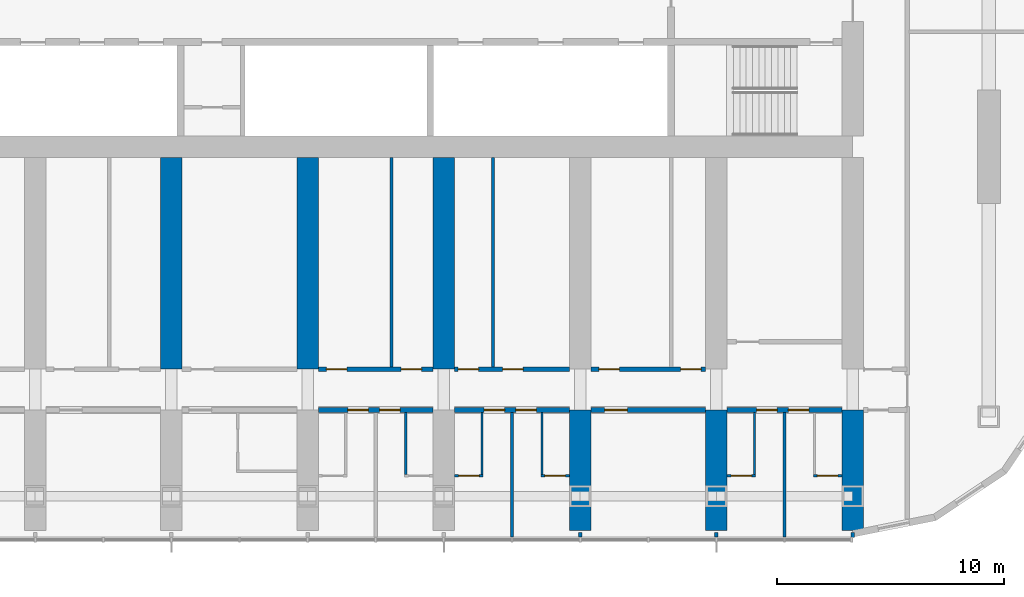
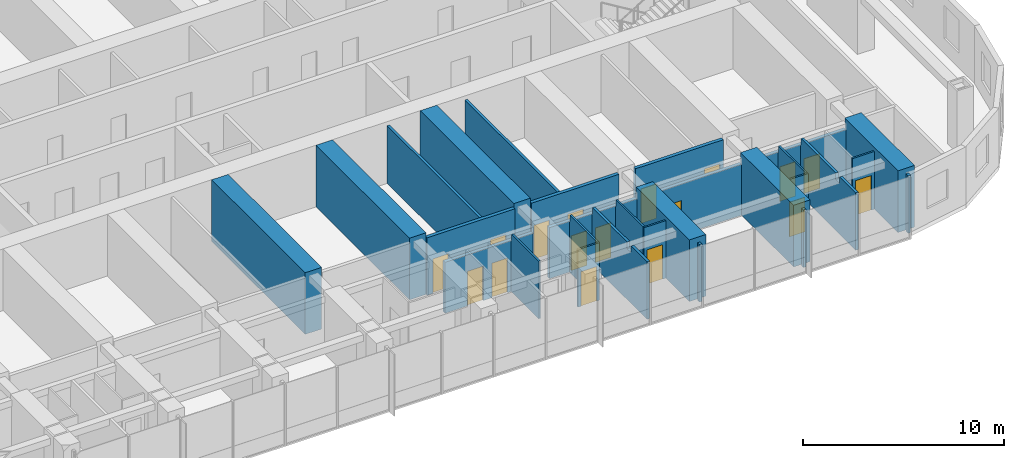
# One storey, part 10 of 21: 28 walls, 17 doors, 17 openings.
"""IFC4 building model written with IfcOpenShell, lengths in metres."""

from ifc_helpers import new_model, si_unit, direction, frame, frame_2d, origin, place, context, subcontext, project, spatial, polyline, rectangle, outline, extrude, material, layer, layer_set, type_object, element, fill, save


model = new_model("IFC4")

# Units and contexts
model_context = context("Model", 3, precision=1e-05, world=origin(), true_north=direction((0.0, 1.0)))
body_context = subcontext(model_context, "Body", "Model", "MODEL_VIEW")
ifc_project = project(units=[si_unit("LENGTHUNIT", "METRE"), si_unit("AREAUNIT", "SQUARE_METRE"), si_unit("VOLUMEUNIT", "CUBIC_METRE"), si_unit("PLANEANGLEUNIT", "RADIAN"), si_unit("MASSUNIT", "GRAM", prefix="KILO")], contexts=[model_context])

# Site, building, storey
site_placement = place(None, origin())
site = spatial("IfcSite", under=ifc_project, at=site_placement, CompositionType="ELEMENT")
building_placement = place(site_placement, origin())
building = spatial("IfcBuilding", under=site, at=building_placement, Name="Orbita Commons", CompositionType="ELEMENT")
storey_placement = place(building_placement, frame((0.0, 0.0, 106.89990234375)))
storey = spatial("IfcBuildingStorey", under=building, at=storey_placement, Name="L26", CompositionType="ELEMENT", Elevation=106.89990234375)

# Wall, openings, doors
ifc_material_1 = material(Name="Concrete blockwork", Category="masonry")
ifc_layer_1 = layer(ifc_material_1, 0.199951171875)
ifc_layer_set_1 = layer_set([ifc_layer_1], Name="Concrete blockwork")
wall_type_1 = type_object("IfcWallType", Name="Corridor wall 200 blockwork", PredefinedType="SOLIDWALL", material=ifc_layer_set_1)
wall_1_placement = place(storey_placement, frame((42.47509765625, 14.199951171875, 0.0), z_axis=(0.0, 0.0, 1.0), x_axis=(1.0, 0.0, 0.0)))
wall_1 = element("IfcWall", 1, at=wall_1_placement, inside=storey, type_object=wall_type_1, Name="Corridor wall 200 blockwork L26", PredefinedType="SOLIDWALL", context=body_context, shape_type="SweptSolid", body=[
    extrude(outline(polyline([(0.0, 0.0), (5.0498046875, 0.0), (5.050048828125, 3.10009765625), (0.0, 3.10009765625), (0.0, 0.0)])), frame((0.0, 0.10009765625, 0.0), z_axis=(0.0, -1.0, 0.0), x_axis=(1.0, 0.0, 0.0)), (0.0, 0.0, 1.0), 0.199951171875),
])
opening_1_placement = place(wall_1_placement, frame((1.300048828125, 0.0, 0.0)))
opening_1 = element("IfcOpeningElement", 2, at=opening_1_placement, cuts=wall_1, Name="Opening D11", PredefinedType="OPENING", context=body_context, shape_type="SweptSolid", body=[
    extrude(rectangle(XDim=0.89990234375, YDim=2.10009765625, at=frame_2d((0.449951171875, 1.050048828125))), frame((0.0, 0.10986328125, 0.0), z_axis=(0.0, -1.0, 0.0), x_axis=(1.0, 0.0, 0.0)), (0.0, 0.0, 1.0), 0.219970703125),
])
opening_2_placement = place(wall_1_placement, frame((2.699951171875, 0.0, 0.0)))
opening_2 = element("IfcOpeningElement", 3, at=opening_2_placement, cuts=wall_1, Name="Opening D11", PredefinedType="OPENING", context=body_context, shape_type="SweptSolid", body=[
    extrude(rectangle(XDim=0.89990234375, YDim=2.10009765625, at=frame_2d((0.449951171875, 1.050048828125))), frame((0.0, 0.10986328125, 0.0), z_axis=(0.0, -1.0, 0.0), x_axis=(1.0, 0.0, 0.0)), (0.0, 0.0, 1.0), 0.219970703125),
])
ifc_material_2 = material(Name="Steel-faced fire door leaf", Category="steel")
door_type_1 = type_object("IfcDoorType", Name="Corridor door 20 min 900x2100", OperationType="SINGLE_SWING_LEFT", PredefinedType="DOOR", material=ifc_material_2)
door_1_placement = place(opening_1_placement, origin())
door_1 = element("IfcDoor", 4, at=door_1_placement, inside=storey, type_object=door_type_1, Name="Cluster bedroom L26-S10 door", OperationType="SINGLE_SWING_LEFT", OverallHeight=2.10009765625, OverallWidth=0.89990234375, PredefinedType="DOOR", context=body_context, shape_type="SweptSolid", body=[
    extrude(rectangle(XDim=0.89990234375, YDim=2.10009765625, at=frame_2d((0.449951171875, 1.050048828125))), frame((0.0, 0.02490234375, 0.0), z_axis=(0.0, -1.0, 0.0), x_axis=(1.0, 0.0, 0.0)), (0.0, 0.0, 1.0), 0.050048828125),
])
fill(opening_1, door_1)
door_2_placement = place(opening_2_placement, origin())
door_2 = element("IfcDoor", 5, at=door_2_placement, inside=storey, type_object=door_type_1, Name="Cluster bedroom L26-S11 door", OperationType="SINGLE_SWING_LEFT", OverallHeight=2.10009765625, OverallWidth=0.89990234375, PredefinedType="DOOR", context=body_context, shape_type="SweptSolid", body=[
    extrude(rectangle(XDim=0.89990234375, YDim=2.10009765625, at=frame_2d((0.449951171875, 1.050048828125))), frame((0.0, 0.02490234375, 0.0), z_axis=(0.0, -1.0, 0.0), x_axis=(1.0, 0.0, 0.0)), (0.0, 0.0, 1.0), 0.050048828125),
])
fill(opening_2, door_2)

wall_2_placement = place(storey_placement, frame((48.47509765625, 14.199951171875, 0.0), z_axis=(0.0, 0.0, 1.0), x_axis=(1.0, 0.0, 0.0)))
wall_2 = element("IfcWall", 6, at=wall_2_placement, inside=storey, type_object=wall_type_1, Name="Corridor wall 200 blockwork L26", PredefinedType="SOLIDWALL", context=body_context, shape_type="SweptSolid", body=[
    extrude(outline(polyline([(0.0, 0.0), (5.0498046875, 0.0), (5.050048828125, 3.10009765625), (0.0, 3.10009765625), (0.0, 0.0)])), frame((0.0, 0.10009765625, 0.0), z_axis=(0.0, -1.0, 0.0), x_axis=(1.0, 0.0, 0.0)), (0.0, 0.0, 1.0), 0.199951171875),
])
opening_3_placement = place(wall_2_placement, frame((1.300048828125, 0.0, 0.0)))
opening_3 = element("IfcOpeningElement", 7, at=opening_3_placement, cuts=wall_2, Name="Opening D11", PredefinedType="OPENING", context=body_context, shape_type="SweptSolid", body=[
    extrude(rectangle(XDim=0.89990234375, YDim=2.10009765625, at=frame_2d((0.449951171875, 1.050048828125))), frame((0.0, 0.10986328125, 0.0), z_axis=(0.0, -1.0, 0.0), x_axis=(1.0, 0.0, 0.0)), (0.0, 0.0, 1.0), 0.219970703125),
])
opening_4_placement = place(wall_2_placement, frame((2.699951171875, 0.0, 0.0)))
opening_4 = element("IfcOpeningElement", 8, at=opening_4_placement, cuts=wall_2, Name="Opening D11", PredefinedType="OPENING", context=body_context, shape_type="SweptSolid", body=[
    extrude(rectangle(XDim=0.89990234375, YDim=2.10009765625, at=frame_2d((0.449951171875, 1.050048828125))), frame((0.0, 0.10986328125, 0.0), z_axis=(0.0, -1.0, 0.0), x_axis=(1.0, 0.0, 0.0)), (0.0, 0.0, 1.0), 0.219970703125),
])
door_3_placement = place(opening_3_placement, origin())
door_3 = element("IfcDoor", 9, at=door_3_placement, inside=storey, type_object=door_type_1, Name="Cluster bedroom L26-S12 door", OperationType="SINGLE_SWING_LEFT", OverallHeight=2.10009765625, OverallWidth=0.89990234375, PredefinedType="DOOR", context=body_context, shape_type="SweptSolid", body=[
    extrude(rectangle(XDim=0.89990234375, YDim=2.10009765625, at=frame_2d((0.449951171875, 1.050048828125))), frame((0.0, 0.02490234375, 0.0), z_axis=(0.0, -1.0, 0.0), x_axis=(1.0, 0.0, 0.0)), (0.0, 0.0, 1.0), 0.050048828125),
])
fill(opening_3, door_3)
door_4_placement = place(opening_4_placement, origin())
door_4 = element("IfcDoor", 10, at=door_4_placement, inside=storey, type_object=door_type_1, Name="Cluster bedroom L26-S13 door", OperationType="SINGLE_SWING_LEFT", OverallHeight=2.10009765625, OverallWidth=0.89990234375, PredefinedType="DOOR", context=body_context, shape_type="SweptSolid", body=[
    extrude(rectangle(XDim=0.89990234375, YDim=2.10009765625, at=frame_2d((0.449951171875, 1.050048828125))), frame((0.0, 0.02490234375, 0.0), z_axis=(0.0, -1.0, 0.0), x_axis=(1.0, 0.0, 0.0)), (0.0, 0.0, 1.0), 0.050048828125),
])
fill(opening_4, door_4)

# Wall, opening, door
wall_3_placement = place(storey_placement, frame((54.47509765625, 14.199951171875, 0.0), z_axis=(0.0, 0.0, 1.0), x_axis=(1.0, 0.0, 0.0)))
wall_3 = element("IfcWall", 11, at=wall_3_placement, inside=storey, type_object=wall_type_1, Name="Corridor wall 200 blockwork L26", PredefinedType="SOLIDWALL", context=body_context, shape_type="SweptSolid", body=[
    extrude(outline(polyline([(0.0, 0.0), (5.0498046875, 0.0), (5.050048828125, 3.10009765625), (0.0, 3.10009765625), (0.0, 0.0)])), frame((0.0, 0.10009765625, 0.0), z_axis=(0.0, -1.0, 0.0), x_axis=(1.0, 0.0, 0.0)), (0.0, 0.0, 1.0), 0.199951171875),
])
opening_5_placement = place(wall_3_placement, frame((0.60009765625, 0.0, 0.0)))
opening_5 = element("IfcOpeningElement", 12, at=opening_5_placement, cuts=wall_3, Name="Opening D06", PredefinedType="OPENING", context=body_context, shape_type="SweptSolid", body=[
    extrude(rectangle(XDim=1.0, YDim=2.10009765625, at=frame_2d((0.5, 1.050048828125))), frame((0.0, 0.10986328125, 0.0), z_axis=(0.0, -1.0, 0.0), x_axis=(1.0, 0.0, 0.0)), (0.0, 0.0, 1.0), 0.219970703125),
])
ifc_material_3 = material(Name="Steel-faced fire door leaf", Category="steel")
door_type_2 = type_object("IfcDoorType", Name="Corridor door 20 min 1000x2100", OperationType="SINGLE_SWING_LEFT", PredefinedType="DOOR", material=ifc_material_3)
door_5_placement = place(opening_5_placement, origin())
door_5 = element("IfcDoor", 13, at=door_5_placement, inside=storey, type_object=door_type_2, Name="Cluster kitchen-diner L26-S14 door", OperationType="SINGLE_SWING_LEFT", OverallHeight=2.10009765625, OverallWidth=1.0, PredefinedType="DOOR", context=body_context, shape_type="SweptSolid", body=[
    extrude(rectangle(XDim=1.0, YDim=2.10009765625, at=frame_2d((0.5, 1.050048828125))), frame((0.0, 0.02490234375, 0.0), z_axis=(0.0, -1.0, 0.0), x_axis=(1.0, 0.0, 0.0)), (0.0, 0.0, 1.0), 0.050048828125),
])
fill(opening_5, door_5)

# Wall, openings, doors
wall_4_placement = place(storey_placement, frame((60.47509765625, 14.199951171875, 0.0), z_axis=(0.0, 0.0, 1.0), x_axis=(1.0, 0.0, 0.0)))
wall_4 = element("IfcWall", 14, at=wall_4_placement, inside=storey, type_object=wall_type_1, Name="Corridor wall 200 blockwork L26", PredefinedType="SOLIDWALL", context=body_context, shape_type="SweptSolid", body=[
    extrude(outline(polyline([(0.0, 0.0), (5.0498046875, 0.0), (5.050048828125, 3.10009765625), (0.0, 3.10009765625), (0.0, 0.0)])), frame((0.0, 0.10009765625, 0.0), z_axis=(0.0, -1.0, 0.0), x_axis=(1.0, 0.0, 0.0)), (0.0, 0.0, 1.0), 0.199951171875),
])
opening_6_placement = place(wall_4_placement, frame((1.300048828125, 0.0, 0.0)))
opening_6 = element("IfcOpeningElement", 15, at=opening_6_placement, cuts=wall_4, Name="Opening D11", PredefinedType="OPENING", context=body_context, shape_type="SweptSolid", body=[
    extrude(rectangle(XDim=0.89990234375, YDim=2.10009765625, at=frame_2d((0.449951171875, 1.050048828125))), frame((0.0, 0.10986328125, 0.0), z_axis=(0.0, -1.0, 0.0), x_axis=(1.0, 0.0, 0.0)), (0.0, 0.0, 1.0), 0.219970703125),
])
opening_7_placement = place(wall_4_placement, frame((2.699951171875, 0.0, 0.0)))
opening_7 = element("IfcOpeningElement", 16, at=opening_7_placement, cuts=wall_4, Name="Opening D11", PredefinedType="OPENING", context=body_context, shape_type="SweptSolid", body=[
    extrude(rectangle(XDim=0.89990234375, YDim=2.10009765625, at=frame_2d((0.449951171875, 1.050048828125))), frame((0.0, 0.10986328125, 0.0), z_axis=(0.0, -1.0, 0.0), x_axis=(1.0, 0.0, 0.0)), (0.0, 0.0, 1.0), 0.219970703125),
])
door_6_placement = place(opening_6_placement, origin())
door_6 = element("IfcDoor", 17, at=door_6_placement, inside=storey, type_object=door_type_1, Name="Cluster bedroom L26-S16 door", OperationType="SINGLE_SWING_LEFT", OverallHeight=2.10009765625, OverallWidth=0.89990234375, PredefinedType="DOOR", context=body_context, shape_type="SweptSolid", body=[
    extrude(rectangle(XDim=0.89990234375, YDim=2.10009765625, at=frame_2d((0.449951171875, 1.050048828125))), frame((0.0, 0.02490234375, 0.0), z_axis=(0.0, -1.0, 0.0), x_axis=(1.0, 0.0, 0.0)), (0.0, 0.0, 1.0), 0.050048828125),
])
fill(opening_6, door_6)
door_7_placement = place(opening_7_placement, origin())
door_7 = element("IfcDoor", 18, at=door_7_placement, inside=storey, type_object=door_type_1, Name="Cluster bedroom L26-S17 door", OperationType="SINGLE_SWING_LEFT", OverallHeight=2.10009765625, OverallWidth=0.89990234375, PredefinedType="DOOR", context=body_context, shape_type="SweptSolid", body=[
    extrude(rectangle(XDim=0.89990234375, YDim=2.10009765625, at=frame_2d((0.449951171875, 1.050048828125))), frame((0.0, 0.02490234375, 0.0), z_axis=(0.0, -1.0, 0.0), x_axis=(1.0, 0.0, 0.0)), (0.0, 0.0, 1.0), 0.050048828125),
])
fill(opening_7, door_7)

ifc_material_4 = material(Name="Hollow concrete block 200", Category="concrete")
ifc_layer_2 = layer(ifc_material_4, 0.199951171875)
ifc_layer_set_2 = layer_set([ifc_layer_2], Name="Hollow concrete block 200")
wall_type_2 = type_object("IfcWallType", Name="Corridor wall 200 hollow concrete block", PredefinedType="SOLIDWALL", material=ifc_layer_set_2)
wall_5_placement = place(storey_placement, frame((42.47509765625, 16.0, 0.0), z_axis=(0.0, 0.0, 1.0), x_axis=(1.0, 0.0, 0.0)))
wall_5 = element("IfcWall", 19, at=wall_5_placement, inside=storey, type_object=wall_type_2, Name="Corridor wall 200 hollow concrete block L26", PredefinedType="SOLIDWALL", context=body_context, shape_type="SweptSolid", body=[
    extrude(rectangle(XDim=5.0498046875, YDim=0.199951171875, at=frame_2d((2.52490234375, 0.0))), origin(), (0.0, 0.0, 1.0), 3.5),
])
opening_8_placement = place(wall_5_placement, frame((0.35009765625, 0.0, 0.0)))
opening_8 = element("IfcOpeningElement", 20, at=opening_8_placement, cuts=wall_5, Name="Opening D11", PredefinedType="OPENING", context=body_context, shape_type="SweptSolid", body=[
    extrude(rectangle(XDim=0.89990234375, YDim=2.10009765625, at=frame_2d((0.449951171875, 1.050048828125))), frame((0.0, 0.10986328125, 0.0), z_axis=(0.0, -1.0, 0.0), x_axis=(1.0, 0.0, 0.0)), (0.0, 0.0, 1.0), 0.219970703125),
])
opening_9_placement = place(wall_5_placement, frame((3.64501953125, 0.0, 0.0)))
opening_9 = element("IfcOpeningElement", 21, at=opening_9_placement, cuts=wall_5, Name="Opening D11", PredefinedType="OPENING", context=body_context, shape_type="SweptSolid", body=[
    extrude(rectangle(XDim=0.89990234375, YDim=2.10009765625, at=frame_2d((0.449951171875, 1.050048828125))), frame((0.0, 0.10986328125, 0.0), z_axis=(0.0, -1.0, 0.0), x_axis=(1.0, 0.0, 0.0)), (0.0, 0.0, 1.0), 0.219970703125),
])
door_8_placement = place(opening_8_placement, origin())
door_8 = element("IfcDoor", 22, at=door_8_placement, inside=storey, type_object=door_type_1, Name="Bicycle repair workshop L26-BDS42 door", OperationType="SINGLE_SWING_LEFT", OverallHeight=2.10009765625, OverallWidth=0.89990234375, PredefinedType="DOOR", context=body_context, shape_type="SweptSolid", body=[
    extrude(rectangle(XDim=0.89990234375, YDim=2.10009765625, at=frame_2d((0.449951171875, 1.050048828125))), frame((0.0, 0.02490234375, 0.0), z_axis=(0.0, -1.0, 0.0), x_axis=(1.0, 0.0, 0.0)), (0.0, 0.0, 1.0), 0.050048828125),
])
fill(opening_8, door_8)
door_9_placement = place(opening_9_placement, origin())
door_9 = element("IfcDoor", 23, at=door_9_placement, inside=storey, type_object=door_type_1, Name="Water heater cupboard L26-BDS42n door", OperationType="SINGLE_SWING_LEFT", OverallHeight=2.10009765625, OverallWidth=0.89990234375, PredefinedType="DOOR", context=body_context, shape_type="SweptSolid", body=[
    extrude(rectangle(XDim=0.89990234375, YDim=2.10009765625, at=frame_2d((0.449951171875, 1.050048828125))), frame((0.0, 0.02490234375, 0.0), z_axis=(0.0, -1.0, 0.0), x_axis=(1.0, 0.0, 0.0)), (0.0, 0.0, 1.0), 0.050048828125),
])
fill(opening_9, door_9)

wall_6_placement = place(storey_placement, frame((48.47509765625, 16.0, 0.0), z_axis=(0.0, 0.0, 1.0), x_axis=(1.0, 0.0, 0.0)))
wall_6 = element("IfcWall", 24, at=wall_6_placement, inside=storey, type_object=wall_type_2, Name="Corridor wall 200 hollow concrete block L26", PredefinedType="SOLIDWALL", context=body_context, shape_type="SweptSolid", body=[
    extrude(rectangle(XDim=5.0498046875, YDim=0.199951171875, at=frame_2d((2.52490234375, 0.0))), origin(), (0.0, 0.0, 1.0), 3.5),
])
opening_10_placement = place(wall_6_placement, frame((0.14990234375, 0.0, 0.0)))
opening_10 = element("IfcOpeningElement", 25, at=opening_10_placement, cuts=wall_6, Name="Opening D11", PredefinedType="OPENING", context=body_context, shape_type="SweptSolid", body=[
    extrude(rectangle(XDim=0.89990234375, YDim=2.10009765625, at=frame_2d((0.449951171875, 1.050048828125))), frame((0.0, 0.10986328125, 0.0), z_axis=(0.0, -1.0, 0.0), x_axis=(1.0, 0.0, 0.0)), (0.0, 0.0, 1.0), 0.219970703125),
])
opening_11_placement = place(wall_6_placement, frame((2.114990234375, 0.0, 0.0)))
opening_11 = element("IfcOpeningElement", 26, at=opening_11_placement, cuts=wall_6, Name="Opening D11", PredefinedType="OPENING", context=body_context, shape_type="SweptSolid", body=[
    extrude(rectangle(XDim=0.89990234375, YDim=2.10009765625, at=frame_2d((0.449951171875, 1.050048828125))), frame((0.0, 0.10986328125, 0.0), z_axis=(0.0, -1.0, 0.0), x_axis=(1.0, 0.0, 0.0)), (0.0, 0.0, 1.0), 0.219970703125),
])
door_10_placement = place(opening_10_placement, origin())
door_10 = element("IfcDoor", 27, at=door_10_placement, inside=storey, type_object=door_type_1, Name="Equipment store L26-BDS48n door", OperationType="SINGLE_SWING_LEFT", OverallHeight=2.10009765625, OverallWidth=0.89990234375, PredefinedType="DOOR", context=body_context, shape_type="SweptSolid", body=[
    extrude(rectangle(XDim=0.89990234375, YDim=2.10009765625, at=frame_2d((0.449951171875, 1.050048828125))), frame((0.0, 0.02490234375, 0.0), z_axis=(0.0, -1.0, 0.0), x_axis=(1.0, 0.0, 0.0)), (0.0, 0.0, 1.0), 0.050048828125),
])
fill(opening_10, door_10)
door_11_placement = place(opening_11_placement, origin())
door_11 = element("IfcDoor", 28, at=door_11_placement, inside=storey, type_object=door_type_1, Name="Meeting room L26-BDS48 door", OperationType="SINGLE_SWING_LEFT", OverallHeight=2.10009765625, OverallWidth=0.89990234375, PredefinedType="DOOR", context=body_context, shape_type="SweptSolid", body=[
    extrude(rectangle(XDim=0.89990234375, YDim=2.10009765625, at=frame_2d((0.449951171875, 1.050048828125))), frame((0.0, 0.02490234375, 0.0), z_axis=(0.0, -1.0, 0.0), x_axis=(1.0, 0.0, 0.0)), (0.0, 0.0, 1.0), 0.050048828125),
])
fill(opening_11, door_11)

wall_7_placement = place(storey_placement, frame((54.47509765625, 16.0, 0.0), z_axis=(0.0, 0.0, 1.0), x_axis=(1.0, 0.0, 0.0)))
wall_7 = element("IfcWall", 29, at=wall_7_placement, inside=storey, type_object=wall_type_2, Name="Corridor wall 200 hollow concrete block L26", PredefinedType="SOLIDWALL", context=body_context, shape_type="SweptSolid", body=[
    extrude(rectangle(XDim=5.0498046875, YDim=0.199951171875, at=frame_2d((2.52490234375, 0.0))), origin(), (0.0, 0.0, 1.0), 3.5),
])
opening_12_placement = place(wall_7_placement, frame((0.35009765625, 0.0, 0.0)))
opening_12 = element("IfcOpeningElement", 30, at=opening_12_placement, cuts=wall_7, Name="Opening D11", PredefinedType="OPENING", context=body_context, shape_type="SweptSolid", body=[
    extrude(rectangle(XDim=0.89990234375, YDim=2.10009765625, at=frame_2d((0.449951171875, 1.050048828125))), frame((0.0, 0.10986328125, 0.0), z_axis=(0.0, -1.0, 0.0), x_axis=(1.0, 0.0, 0.0)), (0.0, 0.0, 1.0), 0.219970703125),
])
opening_13_placement = place(wall_7_placement, frame((3.955078125, 0.0, 0.0)))
opening_13 = element("IfcOpeningElement", 31, at=opening_13_placement, cuts=wall_7, Name="Opening D11", PredefinedType="OPENING", context=body_context, shape_type="SweptSolid", body=[
    extrude(rectangle(XDim=0.89990234375, YDim=2.10009765625, at=frame_2d((0.449951171875, 1.050048828125))), frame((0.0, 0.10986328125, 0.0), z_axis=(0.0, -1.0, 0.0), x_axis=(1.0, 0.0, 0.0)), (0.0, 0.0, 1.0), 0.219970703125),
])
door_12_placement = place(opening_12_placement, origin())
door_12 = element("IfcDoor", 32, at=door_12_placement, inside=storey, type_object=door_type_1, Name="Bulk and luggage store L26-BDS54 door", OperationType="SINGLE_SWING_LEFT", OverallHeight=2.10009765625, OverallWidth=0.89990234375, PredefinedType="DOOR", context=body_context, shape_type="SweptSolid", body=[
    extrude(rectangle(XDim=0.89990234375, YDim=2.10009765625, at=frame_2d((0.449951171875, 1.050048828125))), frame((0.0, 0.02490234375, 0.0), z_axis=(0.0, -1.0, 0.0), x_axis=(1.0, 0.0, 0.0)), (0.0, 0.0, 1.0), 0.050048828125),
])
fill(opening_12, door_12)
door_13_placement = place(opening_13_placement, origin())
door_13 = element("IfcDoor", 33, at=door_13_placement, inside=storey, type_object=door_type_1, Name="Battery and UPS room L26-BDS54n door", OperationType="SINGLE_SWING_LEFT", OverallHeight=2.10009765625, OverallWidth=0.89990234375, PredefinedType="DOOR", context=body_context, shape_type="SweptSolid", body=[
    extrude(rectangle(XDim=0.89990234375, YDim=2.10009765625, at=frame_2d((0.449951171875, 1.050048828125))), frame((0.0, 0.02490234375, 0.0), z_axis=(0.0, -1.0, 0.0), x_axis=(1.0, 0.0, 0.0)), (0.0, 0.0, 1.0), 0.050048828125),
])
fill(opening_13, door_13)

# Walls
ifc_material_5 = material(Name="Concrete C50/60", Category="concrete")
ifc_layer_3 = layer(ifc_material_5, 0.949951171875)
ifc_layer_set_3 = layer_set([ifc_layer_3], Name="Concrete C50/60")
wall_type_3 = type_object("IfcWallType", Name="Cross wall 950 C50/60", PredefinedType="SHEAR", material=ifc_layer_set_3)
for number, where, z_axis, x_axis, name in (
    (34, (36.0, 16.0, 0.0), (0.0, 0.0, 1.0), (0.0, 1.0, 0.0), "Cross wall 7 south inner L26"),
    (35, (42.0, 16.0, 0.0), (0.0, 0.0, 1.0), (0.0, 1.0, 0.0), "Cross wall 8 south inner L26"),
    (36, (48.0, 16.0, 0.0), (0.0, 0.0, 1.0), (0.0, 1.0, 0.0), "Cross wall 9 south inner L26"),
):
    element("IfcWall", number, at=place(storey_placement, frame(where, z_axis=z_axis, x_axis=x_axis)), inside=storey, type_object=wall_type_3, Name=name, PredefinedType="SHEAR", context=body_context, shape_type="SweptSolid", body=[
        extrude(rectangle(XDim=9.324951171875, YDim=0.949951171875, at=frame_2d((4.66259765625, 0.0))), origin(), (0.0, 0.0, 1.0), 3.75),
    ])
for number, where, z_axis, x_axis, name in (
    (37, (54.0, 8.89990234375, 0.0), (0.0, 0.0, 1.0), (0.0, 1.0, 0.0), "Cross wall 10 south outer L26"),
    (38, (60.0, 8.89990234375, 0.0), (0.0, 0.0, 1.0), (0.0, 1.0, 0.0), "Cross wall 11 south outer L26"),
    (39, (66.0, 8.89990234375, 0.0), (0.0, 0.0, 1.0), (0.0, 1.0, 0.0), "Cross wall 12 south outer L26"),
):
    element("IfcWall", number, at=place(storey_placement, frame(where, z_axis=z_axis, x_axis=x_axis)), inside=storey, type_object=wall_type_3, Name=name, PredefinedType="SHEAR", context=body_context, shape_type="SweptSolid", body=[
        extrude(rectangle(XDim=5.300048828125, YDim=0.949951171875, at=frame_2d((2.64990234375, 0.0))), origin(), (0.0, 0.0, 1.0), 3.75),
    ])
ifc_material_6 = material(Name="Moisture-resistant plasterboard on steel studs", Category="steel")
ifc_layer_4 = layer(ifc_material_6, 0.10009765625)
ifc_layer_set_4 = layer_set([ifc_layer_4], Name="Moisture-resistant plasterboard on steel studs")
wall_type_4 = type_object("IfcWallType", Name="En-suite partition 100", PredefinedType="PARTITIONING", material=ifc_layer_set_4)
wall_8_placement = place(storey_placement, frame((46.324951171875, 11.35009765625, 0.0), z_axis=(0.0, 0.0, 1.0), x_axis=(0.0, 1.0, 0.0)))
element("IfcWall", 40, at=wall_8_placement, inside=storey, type_object=wall_type_4, Name="En-suite partition 100 L26", PredefinedType="PARTITIONING", context=body_context, shape_type="SweptSolid", body=[
    extrude(outline(polyline([(0.0, 0.0), (2.75, 0.0), (2.75, 3.10009765625), (2.701904296875, 3.10009765625), (2.699951171875, 3.5), (0.0, 3.5), (0.0, 0.0)])), frame((0.0, 0.050048828125, 0.0), z_axis=(0.0, -1.0, 0.0), x_axis=(1.0, 0.0, 0.0)), (0.0, 0.0, 1.0), 0.10009765625),
])

# Wall, opening, door
wall_9_placement = place(storey_placement, frame((49.72509765625, 11.300048828125, 0.0), z_axis=(0.0, 0.0, 1.0), x_axis=(-1.0, 0.0, 0.0)))
wall_9 = element("IfcWall", 41, at=wall_9_placement, inside=storey, type_object=wall_type_4, Name="En-suite partition 100 L26", PredefinedType="PARTITIONING", context=body_context, shape_type="SweptSolid", body=[
    extrude(rectangle(XDim=1.25, YDim=0.10009765625, at=frame_2d((0.625, 0.0))), origin(), (0.0, 0.0, 1.0), 3.5),
])
opening_14_placement = place(wall_9_placement, frame((0.175048828125, 0.0, 0.0)))
opening_14 = element("IfcOpeningElement", 42, at=opening_14_placement, cuts=wall_9, Name="Opening D09", PredefinedType="OPENING", context=body_context, shape_type="SweptSolid", body=[
    extrude(rectangle(XDim=0.89990234375, YDim=2.10009765625, at=frame_2d((0.449951171875, 1.050048828125))), frame((0.0, 0.06005859375, 0.0), z_axis=(0.0, -1.0, 0.0), x_axis=(1.0, 0.0, 0.0)), (0.0, 0.0, 1.0), 0.1201171875),
])
ifc_material_7 = material(Name="Laminated timber door leaf", Category="wood")
door_type_3 = type_object("IfcDoorType", Name="En-suite door 900x2100", OperationType="SINGLE_SWING_RIGHT", PredefinedType="DOOR", material=ifc_material_7)
door_14_placement = place(opening_14_placement, origin())
door_14 = element("IfcDoor", 43, at=door_14_placement, inside=storey, type_object=door_type_3, Name="En-suite L26-S12 door", OperationType="SINGLE_SWING_RIGHT", OverallHeight=2.10009765625, OverallWidth=0.89990234375, PredefinedType="DOOR", context=body_context, shape_type="SweptSolid", body=[
    extrude(rectangle(XDim=0.89990234375, YDim=2.10009765625, at=frame_2d((0.449951171875, 1.050048828125))), frame((0.0, 0.02490234375, 0.0), z_axis=(0.0, -1.0, 0.0), x_axis=(1.0, 0.0, 0.0)), (0.0, 0.0, 1.0), 0.050048828125),
])
fill(opening_14, door_14)

# Wall
wall_10_placement = place(storey_placement, frame((49.675048828125, 11.35009765625, 0.0), z_axis=(0.0, 0.0, 1.0), x_axis=(0.0, 1.0, 0.0)))
element("IfcWall", 44, at=wall_10_placement, inside=storey, type_object=wall_type_4, Name="En-suite partition 100 L26", PredefinedType="PARTITIONING", context=body_context, shape_type="SweptSolid", body=[
    extrude(outline(polyline([(0.0, 0.0), (2.75, 0.0), (2.75, 3.10009765625), (2.701904296875, 3.10009765625), (2.699951171875, 3.5), (0.0, 3.5), (0.0, 0.0)])), frame((0.0, 0.050048828125, 0.0), z_axis=(0.0, -1.0, 0.0), x_axis=(1.0, 0.0, 0.0)), (0.0, 0.0, 1.0), 0.10009765625),
])

# Wall, opening, door
wall_11_placement = place(storey_placement, frame((53.52490234375, 11.300048828125, 0.0), z_axis=(0.0, 0.0, 1.0), x_axis=(-1.0, 0.0, 0.0)))
wall_11 = element("IfcWall", 45, at=wall_11_placement, inside=storey, type_object=wall_type_4, Name="En-suite partition 100 L26", PredefinedType="PARTITIONING", context=body_context, shape_type="SweptSolid", body=[
    extrude(rectangle(XDim=1.25, YDim=0.10009765625, at=frame_2d((0.625, 0.0))), origin(), (0.0, 0.0, 1.0), 3.5),
])
opening_15_placement = place(wall_11_placement, frame((0.175048828125, 0.0, 0.0)))
opening_15 = element("IfcOpeningElement", 46, at=opening_15_placement, cuts=wall_11, Name="Opening D09", PredefinedType="OPENING", context=body_context, shape_type="SweptSolid", body=[
    extrude(rectangle(XDim=0.89990234375, YDim=2.10009765625, at=frame_2d((0.449951171875, 1.050048828125))), frame((0.0, 0.06005859375, 0.0), z_axis=(0.0, -1.0, 0.0), x_axis=(1.0, 0.0, 0.0)), (0.0, 0.0, 1.0), 0.1201171875),
])
door_15_placement = place(opening_15_placement, origin())
door_15 = element("IfcDoor", 47, at=door_15_placement, inside=storey, type_object=door_type_3, Name="En-suite L26-S13 door", OperationType="SINGLE_SWING_RIGHT", OverallHeight=2.10009765625, OverallWidth=0.89990234375, PredefinedType="DOOR", context=body_context, shape_type="SweptSolid", body=[
    extrude(rectangle(XDim=0.89990234375, YDim=2.10009765625, at=frame_2d((0.449951171875, 1.050048828125))), frame((0.0, 0.02490234375, 0.0), z_axis=(0.0, -1.0, 0.0), x_axis=(1.0, 0.0, 0.0)), (0.0, 0.0, 1.0), 0.050048828125),
])
fill(opening_15, door_15)

# Wall
wall_12_placement = place(storey_placement, frame((52.324951171875, 11.35009765625, 0.0), z_axis=(0.0, 0.0, 1.0), x_axis=(0.0, 1.0, 0.0)))
element("IfcWall", 48, at=wall_12_placement, inside=storey, type_object=wall_type_4, Name="En-suite partition 100 L26", PredefinedType="PARTITIONING", context=body_context, shape_type="SweptSolid", body=[
    extrude(outline(polyline([(0.0, 0.0), (2.75, 0.0), (2.75, 3.10009765625), (2.701904296875, 3.10009765625), (2.699951171875, 3.5), (0.0, 3.5), (0.0, 0.0)])), frame((0.0, 0.050048828125, 0.0), z_axis=(0.0, -1.0, 0.0), x_axis=(1.0, 0.0, 0.0)), (0.0, 0.0, 1.0), 0.10009765625),
])

# Wall, opening, door
wall_13_placement = place(storey_placement, frame((61.72509765625, 11.300048828125, 0.0), z_axis=(0.0, 0.0, 1.0), x_axis=(-1.0, 0.0, 0.0)))
wall_13 = element("IfcWall", 49, at=wall_13_placement, inside=storey, type_object=wall_type_4, Name="En-suite partition 100 L26", PredefinedType="PARTITIONING", context=body_context, shape_type="SweptSolid", body=[
    extrude(rectangle(XDim=1.25, YDim=0.10009765625, at=frame_2d((0.625, 0.0))), origin(), (0.0, 0.0, 1.0), 3.5),
])
opening_16_placement = place(wall_13_placement, frame((0.175048828125, 0.0, 0.0)))
opening_16 = element("IfcOpeningElement", 50, at=opening_16_placement, cuts=wall_13, Name="Opening D09", PredefinedType="OPENING", context=body_context, shape_type="SweptSolid", body=[
    extrude(rectangle(XDim=0.89990234375, YDim=2.10009765625, at=frame_2d((0.449951171875, 1.050048828125))), frame((0.0, 0.06005859375, 0.0), z_axis=(0.0, -1.0, 0.0), x_axis=(1.0, 0.0, 0.0)), (0.0, 0.0, 1.0), 0.1201171875),
])
door_16_placement = place(opening_16_placement, origin())
door_16 = element("IfcDoor", 51, at=door_16_placement, inside=storey, type_object=door_type_3, Name="En-suite L26-S16 door", OperationType="SINGLE_SWING_RIGHT", OverallHeight=2.10009765625, OverallWidth=0.89990234375, PredefinedType="DOOR", context=body_context, shape_type="SweptSolid", body=[
    extrude(rectangle(XDim=0.89990234375, YDim=2.10009765625, at=frame_2d((0.449951171875, 1.050048828125))), frame((0.0, 0.02490234375, 0.0), z_axis=(0.0, -1.0, 0.0), x_axis=(1.0, 0.0, 0.0)), (0.0, 0.0, 1.0), 0.050048828125),
])
fill(opening_16, door_16)

# Wall
wall_14_placement = place(storey_placement, frame((61.675048828125, 11.35009765625, 0.0), z_axis=(0.0, 0.0, 1.0), x_axis=(0.0, 1.0, 0.0)))
element("IfcWall", 52, at=wall_14_placement, inside=storey, type_object=wall_type_4, Name="En-suite partition 100 L26", PredefinedType="PARTITIONING", context=body_context, shape_type="SweptSolid", body=[
    extrude(outline(polyline([(0.0, 0.0), (2.75, 0.0), (2.75, 3.10009765625), (2.701904296875, 3.10009765625), (2.699951171875, 3.5), (0.0, 3.5), (0.0, 0.0)])), frame((0.0, 0.050048828125, 0.0), z_axis=(0.0, -1.0, 0.0), x_axis=(1.0, 0.0, 0.0)), (0.0, 0.0, 1.0), 0.10009765625),
])

# Wall, opening, door
wall_15_placement = place(storey_placement, frame((65.52490234375, 11.300048828125, 0.0), z_axis=(0.0, 0.0, 1.0), x_axis=(-1.0, 0.0, 0.0)))
wall_15 = element("IfcWall", 53, at=wall_15_placement, inside=storey, type_object=wall_type_4, Name="En-suite partition 100 L26", PredefinedType="PARTITIONING", context=body_context, shape_type="SweptSolid", body=[
    extrude(rectangle(XDim=1.25, YDim=0.10009765625, at=frame_2d((0.625, 0.0))), origin(), (0.0, 0.0, 1.0), 3.5),
])
opening_17_placement = place(wall_15_placement, frame((0.175048828125, 0.0, 0.0)))
opening_17 = element("IfcOpeningElement", 54, at=opening_17_placement, cuts=wall_15, Name="Opening D09", PredefinedType="OPENING", context=body_context, shape_type="SweptSolid", body=[
    extrude(rectangle(XDim=0.89990234375, YDim=2.10009765625, at=frame_2d((0.449951171875, 1.050048828125))), frame((0.0, 0.06005859375, 0.0), z_axis=(0.0, -1.0, 0.0), x_axis=(1.0, 0.0, 0.0)), (0.0, 0.0, 1.0), 0.1201171875),
])
door_17_placement = place(opening_17_placement, origin())
door_17 = element("IfcDoor", 55, at=door_17_placement, inside=storey, type_object=door_type_3, Name="En-suite L26-S17 door", OperationType="SINGLE_SWING_RIGHT", OverallHeight=2.10009765625, OverallWidth=0.89990234375, PredefinedType="DOOR", context=body_context, shape_type="SweptSolid", body=[
    extrude(rectangle(XDim=0.89990234375, YDim=2.10009765625, at=frame_2d((0.449951171875, 1.050048828125))), frame((0.0, 0.02490234375, 0.0), z_axis=(0.0, -1.0, 0.0), x_axis=(1.0, 0.0, 0.0)), (0.0, 0.0, 1.0), 0.050048828125),
])
fill(opening_17, door_17)

# Walls
ifc_material_8 = material(Name="Gypsum plasterboard on steel studs", Category="steel")
ifc_layer_5 = layer(ifc_material_8, 0.14990234375)
ifc_layer_set_5 = layer_set([ifc_layer_5], Name="Gypsum plasterboard on steel studs")
wall_type_5 = type_object("IfcWallType", Name="Partition 150 plasterboard", PredefinedType="PARTITIONING", material=ifc_layer_set_5)
for number, where, z_axis, x_axis, name in (
    (56, (45.695068359375, 16.10009765625, 0.0), (0.0, 0.0, 1.0), (0.0, 1.0, 0.0), "Partition 150 plasterboard L26"),
    (57, (50.1650390625, 16.10009765625, 0.0), (0.0, 0.0, 1.0), (0.0, 1.0, 0.0), "Partition 150 plasterboard L26"),
):
    element("IfcWall", number, at=place(storey_placement, frame(where, z_axis=z_axis, x_axis=x_axis)), inside=storey, type_object=wall_type_5, Name=name, PredefinedType="PARTITIONING", context=body_context, shape_type="SweptSolid", body=[
        extrude(rectangle(XDim=9.224853515625, YDim=0.14990234375, at=frame_2d((4.6123046875, 0.0))), origin(), (0.0, 0.0, 1.0), 3.5),
    ])
for number, where, z_axis, x_axis, name in (
    (58, (54.0, 8.800048828125, 0.0), (0.0, 0.0, 1.0), (0.0, -1.0, 0.0), "Partition 150 plasterboard L26"),
    (59, (60.0, 8.800048828125, 0.0), (0.0, 0.0, 1.0), (0.0, -1.0, 0.0), "Partition 150 plasterboard L26"),
):
    element("IfcWall", number, at=place(storey_placement, frame(where, z_axis=z_axis, x_axis=x_axis)), inside=storey, type_object=wall_type_5, Name=name, PredefinedType="PARTITIONING", context=body_context, shape_type="SweptSolid", body=[
        extrude(rectangle(XDim=0.18994140625, YDim=0.14990234375, at=frame_2d((0.094970703125, 0.0))), origin(), (0.0, 0.0, 1.0), 3.5),
    ])
wall_16_placement = place(storey_placement, frame((66.0, 8.800048828125, 0.0), z_axis=(0.0, 0.0, 1.0), x_axis=(0.0, -1.0, 0.0)))
element("IfcWall", 60, at=wall_16_placement, inside=storey, type_object=wall_type_5, Name="Partition 150 plasterboard L26", PredefinedType="PARTITIONING", context=body_context, shape_type="SweptSolid", body=[
    extrude(rectangle(XDim=0.219970703125, YDim=0.14990234375, at=frame_2d((0.10986328125, 0.0))), origin(), (0.0, 0.0, 1.0), 3.5),
])
ifc_material_9 = material(Name="Gypsum plasterboard on steel studs", Category="steel")
ifc_layer_6 = layer(ifc_material_9, 0.14990234375)
ifc_layer_set_6 = layer_set([ifc_layer_6], Name="Gypsum plasterboard on steel studs")
wall_type_6 = type_object("IfcWallType", Name="Party wall 150 plasterboard", PredefinedType="PARTITIONING", material=ifc_layer_set_6)
for number, where, z_axis, x_axis, name in (
    (61, (51.0, 8.610107421875, 0.0), (0.0, 0.0, 1.0), (0.0, 1.0, 0.0), "Party wall 150 plasterboard L26"),
    (62, (63.0, 8.610107421875, 0.0), (0.0, 0.0, 1.0), (0.0, 1.0, 0.0), "Party wall 150 plasterboard L26"),
):
    element("IfcWall", number, at=place(storey_placement, frame(where, z_axis=z_axis, x_axis=x_axis)), inside=storey, type_object=wall_type_6, Name=name, PredefinedType="PARTITIONING", context=body_context, shape_type="SweptSolid", body=[
        extrude(outline(polyline([(0.0, 0.0), (5.489990234375, 0.0), (5.489990234375, 3.10009765625), (5.44189453125, 3.10009765625), (5.43994140625, 3.5), (1.991943359375, 3.5), (1.989990234375, 3.10009765625), (1.592041015625, 3.10009765625), (1.590087890625, 3.5), (0.0, 3.5), (0.0, 0.0)])), frame((0.0, 0.074951171875, 0.0), z_axis=(0.0, -1.0, 0.0), x_axis=(1.0, 0.0, 0.0)), (0.0, 0.0, 1.0), 0.14990234375),
    ])

save(model, "model.ifc")
